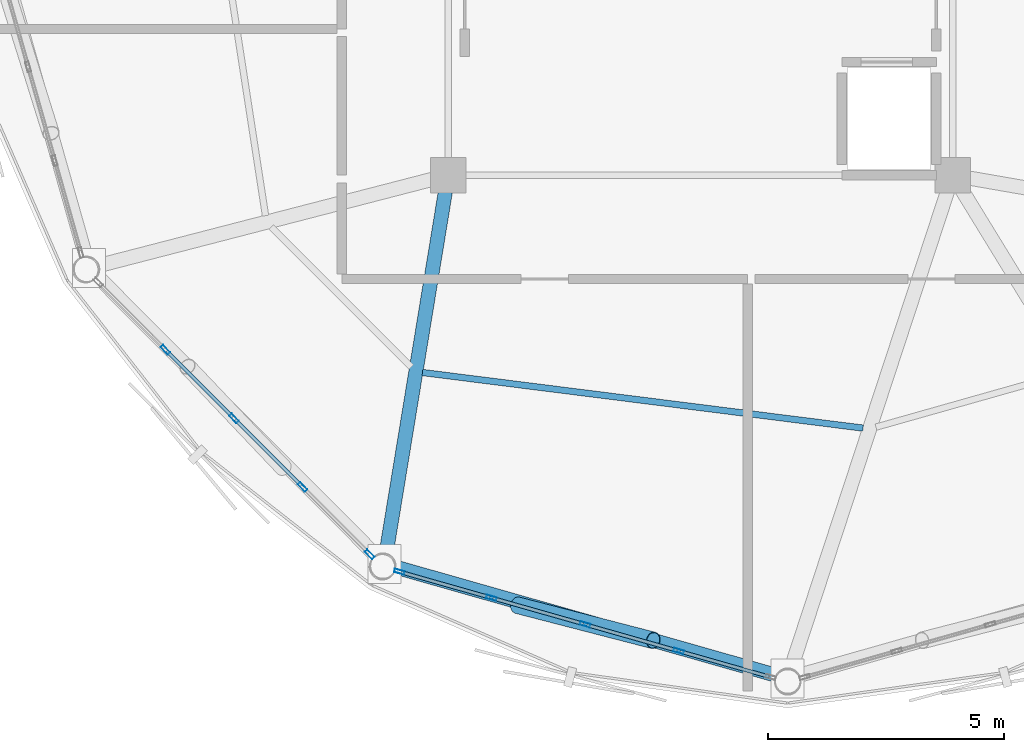
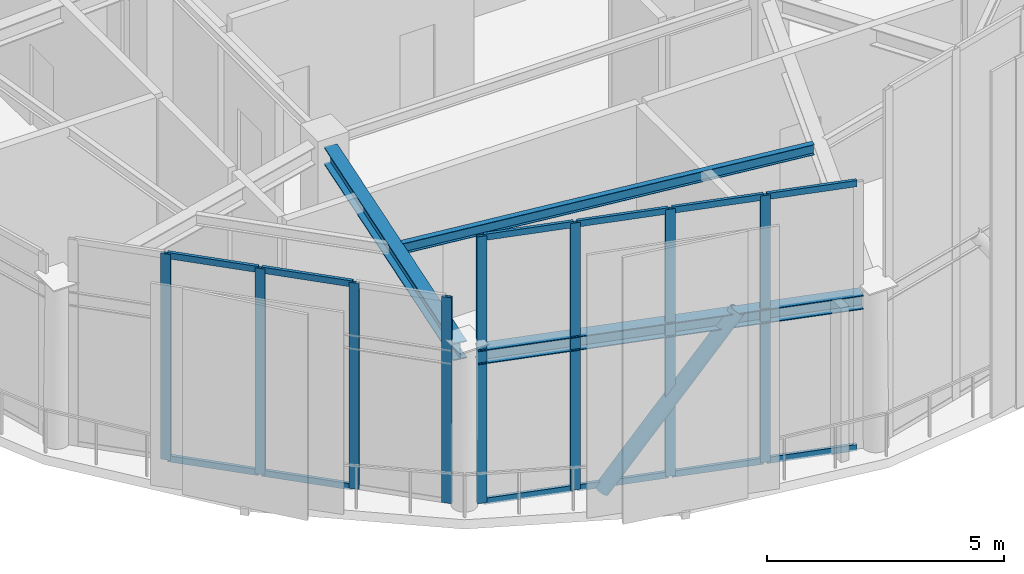
# One storey, part 2 of 20: 21 members, 3 beams, 2 elements without a shape of their own.
"""IFC4 building model written with IfcOpenShell, lengths in metres."""

from ifc_helpers import new_model, si_unit, direction, frame, origin, origin_2d, place, context, subcontext, project, spatial, hollow_rectangle, hollow_circle, i_section, extrude, material, layer, layer_set, material_profile, profile_set, type_object, element, aggregate, save


model = new_model("IFC4")

# Units and contexts
model_context = context("Model", 3, precision=1e-05, world=origin(), true_north=direction((0.0, 1.0)))
body_context = subcontext(model_context, "Body", "Model", "MODEL_VIEW")
ifc_project = project(units=[si_unit("LENGTHUNIT", "METRE"), si_unit("AREAUNIT", "SQUARE_METRE"), si_unit("VOLUMEUNIT", "CUBIC_METRE"), si_unit("PLANEANGLEUNIT", "RADIAN"), si_unit("MASSUNIT", "GRAM", prefix="KILO")], contexts=[model_context])

# Site, building, storey
site_placement = place(None, origin())
site = spatial("IfcSite", under=ifc_project, at=site_placement, CompositionType="ELEMENT")
building_placement = place(site_placement, origin())
building = spatial("IfcBuilding", under=site, at=building_placement, Name="Varnakorn Sky Granary", CompositionType="ELEMENT")
storey_placement = place(building_placement, frame((0.0, 0.0, 310.800048828125)))
storey = spatial("IfcBuildingStorey", under=building, at=storey_placement, Name="L79", CompositionType="ELEMENT", Elevation=310.800048828125)

# Beams
ifc_material_1 = material(Name="Steel S355JR", Category="steel")
ifc_material_profile_1 = material_profile(ifc_material_1, i_section(OverallWidth=0.300048828125, OverallDepth=0.449951171875, WebThickness=0.013916015625, FlangeThickness=0.02587890625, at=origin_2d()), Name="HE 450 B")
ifc_profile_set_1 = profile_set([ifc_material_profile_1], Name="Steel S355JR")
beam_type_1 = type_object("IfcBeamType", Name="BM-RAD-Z5", PredefinedType="BEAM", material=ifc_profile_set_1)
beam_1_placement = place(storey_placement, frame((-2.407470703125, -6.9501953125, 3.73486328125), z_axis=(-0.161725114203, -0.986835846246, 0.0), x_axis=(0.986835846246, -0.161725114203, 0.0)))
element("IfcBeam", 1, at=beam_1_placement, inside=storey, type_object=beam_type_1, Name="Radial Floor Girder RG09 L79", PredefinedType="BEAM", context=body_context, shape_type="SweptSolid", body=[
    extrude(i_section(OverallWidth=0.300048828125, OverallDepth=0.449951171875, WebThickness=0.013916015625, FlangeThickness=0.02587890625, at=origin_2d()), origin(), (0.0, 0.0, 1.0), 7.730712890625),
])
ifc_material_profile_2 = material_profile(ifc_material_1, i_section(OverallWidth=0.135009765625, OverallDepth=0.27001953125, WebThickness=0.006591796875, FlangeThickness=0.01025390625, at=origin_2d()), Name="IPE 270")
ifc_profile_set_2 = profile_set([ifc_material_profile_2], Name="Steel S355JR")
beam_type_2 = type_object("IfcBeamType", Name="BM-SEC-Z5", PredefinedType="BEAM", material=ifc_profile_set_2)
beam_2_placement = place(storey_placement, frame((-2.893798828125, -10.7822265625, 3.824951171875), z_axis=(0.992131981317, -0.125196372342, 0.0), x_axis=(0.125196372342, 0.992131981317, 0.0)))
element("IfcBeam", 2, at=beam_2_placement, inside=storey, type_object=beam_type_2, Name="Secondary Floor Chord Beam MSB09 L79", PredefinedType="BEAM", context=body_context, shape_type="SweptSolid", body=[
    extrude(i_section(OverallWidth=0.135009765625, OverallDepth=0.27001953125, WebThickness=0.006591796875, FlangeThickness=0.01025390625, at=origin_2d()), origin(), (0.0, 0.0, 1.0), 9.414794921875),
])
ifc_material_profile_3 = material_profile(ifc_material_1, i_section(OverallWidth=0.300048828125, OverallDepth=0.360107421875, WebThickness=0.012451171875, FlangeThickness=0.0224609375, at=origin_2d()), Name="HE 360 B")
ifc_profile_set_3 = profile_set([ifc_material_profile_3], Name="Steel S355JR")
beam_type_3 = type_object("IfcBeamType", Name="BM-SPD-Z5", PredefinedType="SPANDREL", material=ifc_profile_set_3)
beam_3_placement = place(storey_placement, frame((-3.446044921875, -14.91259765625, 3.780029296875), z_axis=(0.96188675359, -0.273448118055, 0.0), x_axis=(0.273448118055, 0.96188675359, 0.0)))
element("IfcBeam", 3, at=beam_3_placement, inside=storey, type_object=beam_type_3, Name="Perimeter Spandrel Ring Beam RB09 L79", PredefinedType="SPANDREL", context=body_context, shape_type="SweptSolid", body=[
    extrude(i_section(OverallWidth=0.300048828125, OverallDepth=0.360107421875, WebThickness=0.012451171875, FlangeThickness=0.0224609375, at=origin_2d()), origin(), (0.0, 0.0, 1.0), 8.3603515625),
])

# Curtain wall, members
ifc_material_2 = material(Name="Anodised Bronze Aluminium Alloy 6063-T6", Category="aluminium")
ifc_layer = layer(ifc_material_2, 0.22998046875, Name="Anodised Bronze Aluminium Alloy 6063-T6")
ifc_layer_set = layer_set([ifc_layer], Name="Anodised Bronze Aluminium Alloy 6063-T6")
curtain_wall_type = type_object("IfcCurtainWallType", Name="CW-LNT-1", PredefinedType="USERDEFINED", material=ifc_layer_set)
curtain_wall_1_placement = place(storey_placement, origin())
curtain_wall_1 = element("IfcCurtainWall", 4, at=curtain_wall_1_placement, inside=storey, type_object=curtain_wall_type, Name="Unitised Curtain Wall CW7 CW-L79-B08", ObjectType="CURTAIN WALL", PredefinedType="USERDEFINED")
ifc_material_profile_4 = material_profile(ifc_material_2, hollow_rectangle(XDim=0.074951171875, YDim=0.219970703125, WallThickness=0.00390625, at=origin_2d()), Name="ALU MULL 75x220")
ifc_profile_set_4 = profile_set([ifc_material_profile_4], Name="Anodised Bronze Aluminium Alloy 6063-T6")
member_type_1 = type_object("IfcMemberType", Name="CW-LNT-1-MULL", PredefinedType="MULLION", material=ifc_profile_set_4)
member_1_placement = place(storey_placement, frame((-4.00927734375, -14.635986328125, 0.0), z_axis=(0.0, 0.0, 1.0), x_axis=(-0.707562678959, -0.706650589291, 0.0)))
member_1 = element("IfcMember", 5, at=member_1_placement, type_object=member_type_1, Name="CW7 mullion 1", PredefinedType="MULLION", context=body_context, shape_type="SweptSolid", body=[
    extrude(hollow_rectangle(XDim=0.074951171875, YDim=0.219970703125, WallThickness=0.00390625, at=origin_2d()), origin(), (0.0, 0.0, 1.0), 5.2958984375),
])
member_2_placement = place(storey_placement, frame((-5.435546875, -13.207763671875, 0.0), z_axis=(0.0, 0.0, 1.0), x_axis=(-0.707562678959, -0.706650589291, 0.0)))
member_2 = element("IfcMember", 6, at=member_2_placement, type_object=member_type_1, Name="CW7 mullion 2", PredefinedType="MULLION", context=body_context, shape_type="SweptSolid", body=[
    extrude(hollow_rectangle(XDim=0.074951171875, YDim=0.219970703125, WallThickness=0.00390625, at=origin_2d()), origin(), (0.0, 0.0, 1.0), 5.2958984375),
])
member_3_placement = place(storey_placement, frame((-6.88818359375, -11.75341796875, 0.0), z_axis=(0.0, 0.0, 1.0), x_axis=(-0.707562678959, -0.706650589291, 0.0)))
member_3 = element("IfcMember", 7, at=member_3_placement, type_object=member_type_1, Name="CW7 mullion 3", PredefinedType="MULLION", context=body_context, shape_type="SweptSolid", body=[
    extrude(hollow_rectangle(XDim=0.074951171875, YDim=0.219970703125, WallThickness=0.00390625, at=origin_2d()), origin(), (0.0, 0.0, 1.0), 5.2958984375),
])
member_4_placement = place(storey_placement, frame((-8.3408203125, -10.298828125, 0.0), z_axis=(0.0, 0.0, 1.0), x_axis=(-0.707562678959, -0.706650589291, 0.0)))
member_4 = element("IfcMember", 8, at=member_4_placement, type_object=member_type_1, Name="CW7 mullion 4", PredefinedType="MULLION", context=body_context, shape_type="SweptSolid", body=[
    extrude(hollow_rectangle(XDim=0.074951171875, YDim=0.219970703125, WallThickness=0.00390625, at=origin_2d()), origin(), (0.0, 0.0, 1.0), 5.2958984375),
])

curtain_wall_2_placement = place(storey_placement, origin())
curtain_wall_2 = element("IfcCurtainWall", 9, at=curtain_wall_2_placement, inside=storey, type_object=curtain_wall_type, Name="Unitised Curtain Wall CW7 CW-L79-B09", ObjectType="CURTAIN WALL", PredefinedType="USERDEFINED")
member_5_placement = place(storey_placement, frame((2.538330078125, -16.6865234375, 0.0), z_axis=(0.0, 0.0, 1.0), x_axis=(-0.273207021896, -0.961955260491, 0.0)))
member_5 = element("IfcMember", 10, at=member_5_placement, type_object=member_type_1, Name="CW7 mullion 2", PredefinedType="MULLION", context=body_context, shape_type="SweptSolid", body=[
    extrude(hollow_rectangle(XDim=0.074951171875, YDim=0.219970703125, WallThickness=0.00390625, at=origin_2d()), origin(), (0.0, 0.0, 1.0), 6.8642578125),
])
member_6_placement = place(storey_placement, frame((0.553466796875, -16.122802734375, 0.0), z_axis=(0.0, 0.0, 1.0), x_axis=(-0.273207021896, -0.961955260491, 0.0)))
member_6 = element("IfcMember", 11, at=member_6_placement, type_object=member_type_1, Name="CW7 mullion 3", PredefinedType="MULLION", context=body_context, shape_type="SweptSolid", body=[
    extrude(hollow_rectangle(XDim=0.074951171875, YDim=0.219970703125, WallThickness=0.00390625, at=origin_2d()), origin(), (0.0, 0.0, 1.0), 6.8642578125),
])
member_7_placement = place(storey_placement, frame((-1.431396484375, -15.55908203125, 0.0), z_axis=(0.0, 0.0, 1.0), x_axis=(-0.273207021896, -0.961955260491, 0.0)))
member_7 = element("IfcMember", 12, at=member_7_placement, type_object=member_type_1, Name="CW7 mullion 4", PredefinedType="MULLION", context=body_context, shape_type="SweptSolid", body=[
    extrude(hollow_rectangle(XDim=0.074951171875, YDim=0.219970703125, WallThickness=0.00390625, at=origin_2d()), origin(), (0.0, 0.0, 1.0), 6.8642578125),
])
member_8_placement = place(storey_placement, frame((-3.38037109375, -15.005615234375, 0.0), z_axis=(0.0, 0.0, 1.0), x_axis=(-0.273207021896, -0.961955260491, 0.0)))
member_8 = element("IfcMember", 13, at=member_8_placement, type_object=member_type_1, Name="CW7 mullion 5", PredefinedType="MULLION", context=body_context, shape_type="SweptSolid", body=[
    extrude(hollow_rectangle(XDim=0.074951171875, YDim=0.219970703125, WallThickness=0.00390625, at=origin_2d()), origin(), (0.0, 0.0, 1.0), 6.8642578125),
])

# Member
ifc_material_profile_5 = material_profile(ifc_material_2, hollow_rectangle(XDim=0.074951171875, YDim=0.159912109375, WallThickness=0.00390625, at=origin_2d()), Name="ALU TRAN 75x160")
ifc_profile_set_5 = profile_set([ifc_material_profile_5], Name="Anodised Bronze Aluminium Alloy 6063-T6")
member_type_2 = type_object("IfcMemberType", Name="CW-LNT-1-TRAN", PredefinedType="USERDEFINED", material=ifc_profile_set_5)
member_9_placement = place(storey_placement, frame((-5.462158203125, -13.181396484375, 0.037353515625), z_axis=(-0.706613594422, 0.707599624207, 0.0), x_axis=(-0.707599624207, -0.706613594422, 0.0)))
member_9 = element("IfcMember", 14, at=member_9_placement, type_object=member_type_2, Name="CW7 transom 2.1", ObjectType="TRANSOM", PredefinedType="USERDEFINED", context=body_context, shape_type="SweptSolid", body=[
    extrude(hollow_rectangle(XDim=0.074951171875, YDim=0.159912109375, WallThickness=0.00390625, at=origin_2d()), origin(), (0.0, 0.0, 1.0), 1.980712890625),
])

member_10_placement = place(storey_placement, frame((-5.462158203125, -13.181396484375, 5.258544921875), z_axis=(-0.706613594422, 0.707599624207, 0.0), x_axis=(-0.707599624207, -0.706613594422, 0.0)))
member_10 = element("IfcMember", 15, at=member_10_placement, type_object=member_type_2, Name="CW7 transom 2.2", ObjectType="TRANSOM", PredefinedType="USERDEFINED", context=body_context, shape_type="SweptSolid", body=[
    extrude(hollow_rectangle(XDim=0.074951171875, YDim=0.159912109375, WallThickness=0.00390625, at=origin_2d()), origin(), (0.0, 0.0, 1.0), 1.980712890625),
])

member_11_placement = place(storey_placement, frame((-6.914794921875, -11.726806640625, 0.037353515625), z_axis=(-0.706613594422, 0.707599624207, 0.0), x_axis=(-0.707599624207, -0.706613594422, 0.0)))
member_11 = element("IfcMember", 16, at=member_11_placement, type_object=member_type_2, Name="CW7 transom 3.1", ObjectType="TRANSOM", PredefinedType="USERDEFINED", context=body_context, shape_type="SweptSolid", body=[
    extrude(hollow_rectangle(XDim=0.074951171875, YDim=0.159912109375, WallThickness=0.00390625, at=origin_2d()), origin(), (0.0, 0.0, 1.0), 1.980712890625),
])

member_12_placement = place(storey_placement, frame((-6.914794921875, -11.726806640625, 5.258544921875), z_axis=(-0.706613594422, 0.707599624207, 0.0), x_axis=(-0.707599624207, -0.706613594422, 0.0)))
member_12 = element("IfcMember", 17, at=member_12_placement, type_object=member_type_2, Name="CW7 transom 3.2", ObjectType="TRANSOM", PredefinedType="USERDEFINED", context=body_context, shape_type="SweptSolid", body=[
    extrude(hollow_rectangle(XDim=0.074951171875, YDim=0.159912109375, WallThickness=0.00390625, at=origin_2d()), origin(), (0.0, 0.0, 1.0), 1.980712890625),
])

aggregate(curtain_wall_1, [member_1, member_2, member_3, member_4, member_9, member_10, member_11, member_12])

member_13_placement = place(storey_placement, frame((4.451171875, -17.229736328125, 0.037353515625), z_axis=(-0.961961894465, 0.273183662757, 0.0), x_axis=(-0.273183662757, -0.961961894465, 0.0)))
member_13 = element("IfcMember", 18, at=member_13_placement, type_object=member_type_2, Name="CW7 transom 1.1", ObjectType="TRANSOM", PredefinedType="USERDEFINED", context=body_context, shape_type="SweptSolid", body=[
    extrude(hollow_rectangle(XDim=0.074951171875, YDim=0.159912109375, WallThickness=0.00390625, at=origin_2d()), origin(), (0.0, 0.0, 1.0), 1.950927734375),
])

member_14_placement = place(storey_placement, frame((4.451171875, -17.229736328125, 6.826904296875), z_axis=(-0.961961894465, 0.273183662757, 0.0), x_axis=(-0.273183662757, -0.961961894465, 0.0)))
member_14 = element("IfcMember", 19, at=member_14_placement, type_object=member_type_2, Name="CW7 transom 1.2", ObjectType="TRANSOM", PredefinedType="USERDEFINED", context=body_context, shape_type="SweptSolid", body=[
    extrude(hollow_rectangle(XDim=0.074951171875, YDim=0.159912109375, WallThickness=0.00390625, at=origin_2d()), origin(), (0.0, 0.0, 1.0), 1.950927734375),
])

member_15_placement = place(storey_placement, frame((2.50244140625, -16.67626953125, 0.037353515625), z_axis=(-0.961962859849, 0.273180263327, 0.0), x_axis=(-0.273180263327, -0.961962859849, 0.0)))
member_15 = element("IfcMember", 20, at=member_15_placement, type_object=member_type_2, Name="CW7 transom 2.1", ObjectType="TRANSOM", PredefinedType="USERDEFINED", context=body_context, shape_type="SweptSolid", body=[
    extrude(hollow_rectangle(XDim=0.074951171875, YDim=0.159912109375, WallThickness=0.00390625, at=origin_2d()), origin(), (0.0, 0.0, 1.0), 1.988525390625),
])

member_16_placement = place(storey_placement, frame((2.50244140625, -16.67626953125, 6.826904296875), z_axis=(-0.961962859849, 0.273180263327, 0.0), x_axis=(-0.273180263327, -0.961962859849, 0.0)))
member_16 = element("IfcMember", 21, at=member_16_placement, type_object=member_type_2, Name="CW7 transom 2.2", ObjectType="TRANSOM", PredefinedType="USERDEFINED", context=body_context, shape_type="SweptSolid", body=[
    extrude(hollow_rectangle(XDim=0.074951171875, YDim=0.159912109375, WallThickness=0.00390625, at=origin_2d()), origin(), (0.0, 0.0, 1.0), 1.988525390625),
])

member_17_placement = place(storey_placement, frame((0.517333984375, -16.112548828125, 0.037353515625), z_axis=(-0.961953695642, 0.273212531632, 0.0), x_axis=(-0.273212531632, -0.961953695642, 0.0)))
member_17 = element("IfcMember", 22, at=member_17_placement, type_object=member_type_2, Name="CW7 transom 3.1", ObjectType="TRANSOM", PredefinedType="USERDEFINED", context=body_context, shape_type="SweptSolid", body=[
    extrude(hollow_rectangle(XDim=0.074951171875, YDim=0.159912109375, WallThickness=0.00390625, at=origin_2d()), origin(), (0.0, 0.0, 1.0), 1.98828125),
])

member_18_placement = place(storey_placement, frame((0.517333984375, -16.112548828125, 6.826904296875), z_axis=(-0.961953695642, 0.273212531632, 0.0), x_axis=(-0.273212531632, -0.961953695642, 0.0)))
member_18 = element("IfcMember", 23, at=member_18_placement, type_object=member_type_2, Name="CW7 transom 3.2", ObjectType="TRANSOM", PredefinedType="USERDEFINED", context=body_context, shape_type="SweptSolid", body=[
    extrude(hollow_rectangle(XDim=0.074951171875, YDim=0.159912109375, WallThickness=0.00390625, at=origin_2d()), origin(), (0.0, 0.0, 1.0), 1.98828125),
])

member_19_placement = place(storey_placement, frame((-1.467529296875, -15.548828125, 0.037353515625), z_axis=(-0.961961894465, 0.273183662757, 0.0), x_axis=(-0.273183662757, -0.961961894465, 0.0)))
member_19 = element("IfcMember", 24, at=member_19_placement, type_object=member_type_2, Name="CW7 transom 4.1", ObjectType="TRANSOM", PredefinedType="USERDEFINED", context=body_context, shape_type="SweptSolid", body=[
    extrude(hollow_rectangle(XDim=0.074951171875, YDim=0.159912109375, WallThickness=0.00390625, at=origin_2d()), origin(), (0.0, 0.0, 1.0), 1.950927734375),
])

member_20_placement = place(storey_placement, frame((-1.467529296875, -15.548828125, 6.826904296875), z_axis=(-0.961961894465, 0.273183662757, 0.0), x_axis=(-0.273183662757, -0.961961894465, 0.0)))
member_20 = element("IfcMember", 25, at=member_20_placement, type_object=member_type_2, Name="CW7 transom 4.2", ObjectType="TRANSOM", PredefinedType="USERDEFINED", context=body_context, shape_type="SweptSolid", body=[
    extrude(hollow_rectangle(XDim=0.074951171875, YDim=0.159912109375, WallThickness=0.00390625, at=origin_2d()), origin(), (0.0, 0.0, 1.0), 1.950927734375),
])

aggregate(curtain_wall_2, [member_5, member_6, member_7, member_8, member_13, member_14, member_15, member_16, member_17, member_18, member_19, member_20])

ifc_material_3 = material(Name="Steel S460M", Category="steel")
ifc_material_profile_6 = material_profile(ifc_material_3, hollow_circle(Radius=0.177734375, WallThickness=0.01416015625, at=origin_2d()), Name="CHS 355.6x14")
ifc_profile_set_6 = profile_set([ifc_material_profile_6], Name="Steel S460M")
member_type_3 = type_object("IfcMemberType", Name="MB-DIAG-T5", PredefinedType="BRACE", material=ifc_profile_set_6)
member_21_placement = place(storey_placement, frame((-0.878662109375, -15.716064453125, -0.130126953125), z_axis=(0.569246727462, -0.147260603796, 0.808871113246), x_axis=(0.250449171896, 0.968129749722, 0.0)))
element("IfcMember", 26, at=member_21_placement, inside=storey, type_object=member_type_3, Name="Perimeter CHS Diagrid Brace DG09 L79", PredefinedType="BRACE", context=body_context, shape_type="SweptSolid", body=[
    extrude(hollow_circle(Radius=0.177734375, WallThickness=0.01416015625, at=origin_2d()), origin(), (0.0, 0.0, 1.0), 5.056640625),
])

save(model, "model.ifc")
